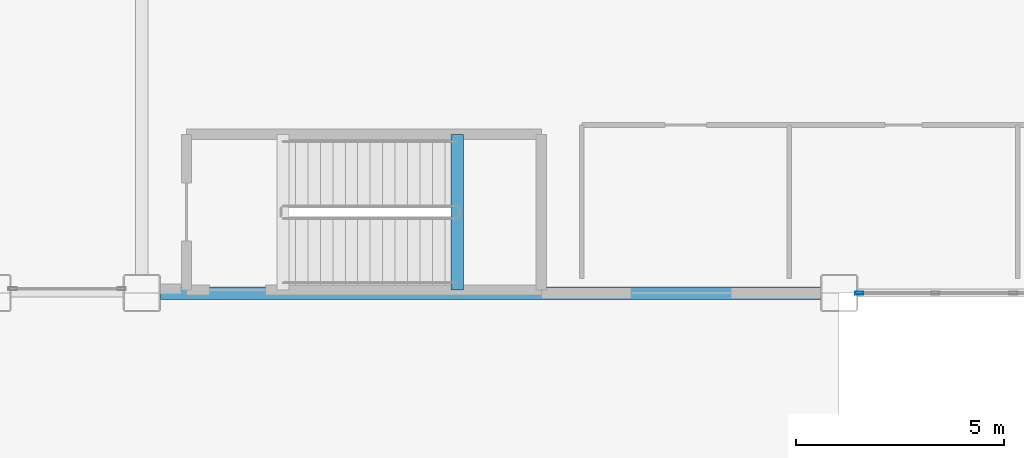
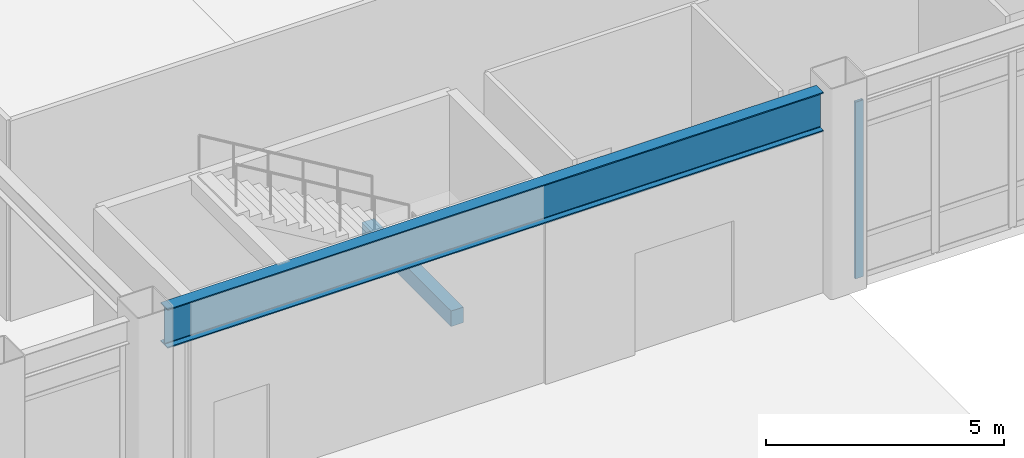
# One storey, part 24 of 165: 2 beams, 1 member, 1 element without a shape of its own.
"""IFC4 building model written with IfcOpenShell, lengths in metres."""

from ifc_helpers import new_model, si_unit, direction, frame, origin, origin_2d, place, context, subcontext, project, spatial, rectangle, hollow_rectangle, i_section, extrude, material, layer, layer_set, material_profile, profile_set, type_object, element, aggregate, save


model = new_model("IFC4")

# Units and contexts
model_context = context("Model", 3, precision=1e-05, world=origin(), true_north=direction((0.0, 1.0)))
body_context = subcontext(model_context, "Body", "Model", "MODEL_VIEW")
ifc_project = project(units=[si_unit("LENGTHUNIT", "METRE"), si_unit("AREAUNIT", "SQUARE_METRE"), si_unit("VOLUMEUNIT", "CUBIC_METRE"), si_unit("PLANEANGLEUNIT", "RADIAN"), si_unit("MASSUNIT", "GRAM", prefix="KILO")], contexts=[model_context])

# Site, building, storey
site_placement = place(None, origin())
site = spatial("IfcSite", under=ifc_project, at=site_placement, CompositionType="ELEMENT")
building_placement = place(site_placement, origin())
building = spatial("IfcBuilding", under=site, at=building_placement, Name="Kazehara Bluff Congress Hotel", CompositionType="ELEMENT")
storey_placement = place(building_placement, origin())
storey = spatial("IfcBuildingStorey", under=building, at=storey_placement, Name="L00", CompositionType="ELEMENT", Elevation=0.0)

# Curtain wall, member
ifc_material_1 = material(Name="Anodised aluminium", Category="aluminium")
ifc_layer = layer(ifc_material_1, 0.159912109375)
ifc_layer_set = layer_set([ifc_layer], Name="Anodised aluminium")
curtain_wall_type = type_object("IfcCurtainWallType", Name="TP-CW-16", PredefinedType="NOTDEFINED", material=ifc_layer_set)
curtain_wall_placement = place(storey_placement, origin())
curtain_wall = element("IfcCurtainWall", 1, at=curtain_wall_placement, inside=storey, type_object=curtain_wall_type, Name="L00 curtain wall CW-16 CW-V1-L00-Y4845-2565", PredefinedType="NOTDEFINED")
ifc_material_2 = material(Name="Anodised aluminium", Category="aluminium")
ifc_material_profile_1 = material_profile(ifc_material_2, hollow_rectangle(XDim=0.070068359375, YDim=0.199951171875, WallThickness=0.0048828125, InnerFilletRadius=0.0048828125, OuterFilletRadius=0.010009765625, at=origin_2d()))
ifc_profile_set_1 = profile_set([ifc_material_profile_1], Name="Anodised aluminium")
member_type = type_object("IfcMemberType", Name="TP-CWM-03", PredefinedType="MULLION", material=ifc_profile_set_1)
member_placement = place(storey_placement, frame((25.68505859375, 48.449951171875, 0.0), z_axis=(0.0, 0.0, 1.0), x_axis=(0.0, 1.0, 0.0)))
member = element("IfcMember", 2, at=member_placement, type_object=member_type, Name="CW-16 mullion 1", PredefinedType="MULLION", context=body_context, shape_type="SweptSolid", body=[
    extrude(hollow_rectangle(XDim=0.070068359375, YDim=0.199951171875, WallThickness=0.0048828125, InnerFilletRadius=0.0048828125, OuterFilletRadius=0.010009765625, at=origin_2d()), origin(), (0.0, 0.0, 1.0), 4.52490234375),
])
aggregate(curtain_wall, [member])

# Beams
ifc_material_3 = material(Name="Steel SN490B", Category="steel")
ifc_material_profile_2 = material_profile(ifc_material_3, i_section(OverallWidth=0.300048828125, OverallDepth=1.0, WebThickness=0.01611328125, FlangeThickness=0.028076171875, FilletRadius=0.02197265625, at=origin_2d()))
ifc_profile_set_2 = profile_set([ifc_material_profile_2], Name="Steel SN490B")
beam_type_1 = type_object("IfcBeamType", Name="TP-G-09", PredefinedType="BEAM", material=ifc_profile_set_2)
beam_1_placement = place(storey_placement, frame((8.85009765625, 48.449951171875, 4.64990234375), z_axis=(1.0, 0.0, 0.0), x_axis=(0.0, 1.0, 0.0)))
element("IfcBeam", 3, at=beam_1_placement, inside=storey, type_object=beam_type_1, Name="L00 girder G-09 26", PredefinedType="BEAM", context=body_context, shape_type="SweptSolid", body=[
    extrude(i_section(OverallWidth=0.300048828125, OverallDepth=1.0, WebThickness=0.01611328125, FlangeThickness=0.028076171875, FilletRadius=0.02197265625, at=origin_2d()), origin(), (0.0, 0.0, 1.0), 15.89990234375),
])
ifc_material_4 = material(Name="Concrete C40/50", Category="concrete")
ifc_material_profile_3 = material_profile(ifc_material_4, rectangle(XDim=0.300048828125, YDim=0.39990234375, at=origin_2d()))
ifc_profile_set_3 = profile_set([ifc_material_profile_3], Name="Concrete C40/50")
beam_type_2 = type_object("IfcBeamType", Name="TP-LN-02", PredefinedType="LINTEL", material=ifc_profile_set_3)
beam_2_placement = place(storey_placement, frame((16.0, 48.52490234375, 2.320068359375), z_axis=(0.0, 1.0, 0.0), x_axis=(-1.0, 0.0, 0.0)))
element("IfcBeam", 4, at=beam_2_placement, inside=storey, type_object=beam_type_2, Name="L00 ST-03 half-landing support beam 1", PredefinedType="LINTEL", context=body_context, shape_type="SweptSolid", body=[
    extrude(rectangle(XDim=0.300048828125, YDim=0.39990234375, at=origin_2d()), origin(), (0.0, 0.0, 1.0), 3.75),
])

save(model, "model.ifc")
